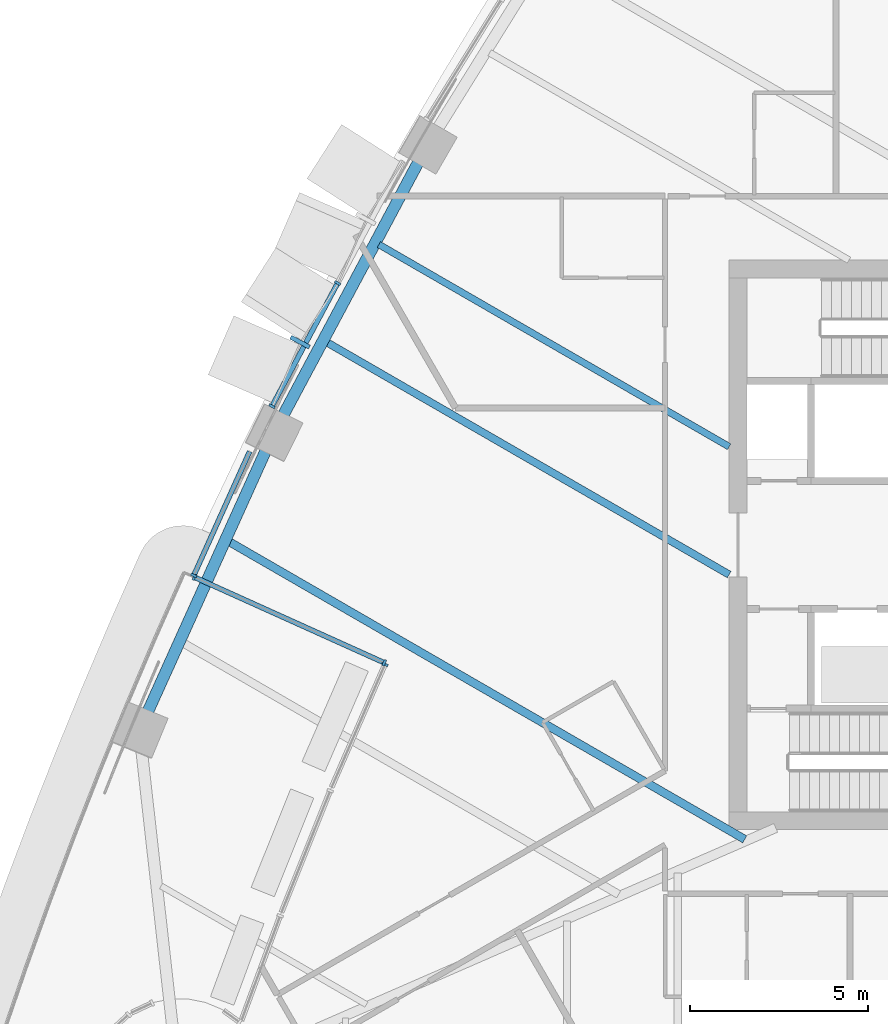
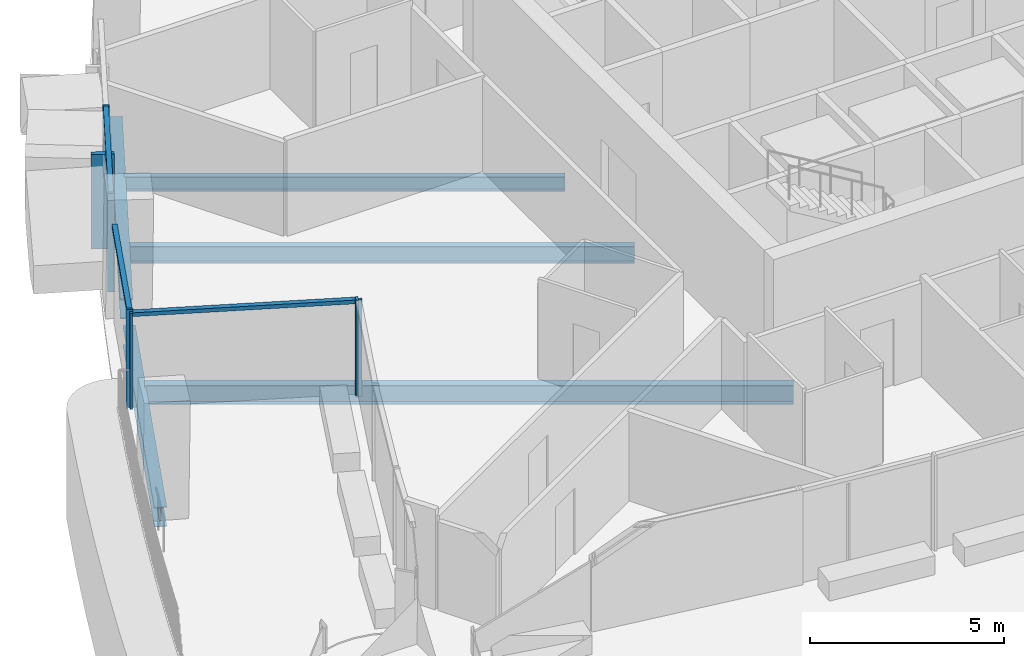
# One storey, part 3 of 22: 10 members, 5 beams, 4 elements without a shape of their own.
"""IFC4 building model written with IfcOpenShell, lengths in metres."""

from ifc_helpers import new_model, si_unit, direction, frame, origin, origin_2d, place, context, subcontext, project, spatial, rectangle, i_section, extrude, material, layer, layer_set, material_profile, profile_set, type_object, element, aggregate, save


model = new_model("IFC4")

# Units and contexts
model_context = context("Model", 3, precision=1e-05, world=origin(), true_north=direction((0.0, 1.0)))
body_context = subcontext(model_context, "Body", "Model", "MODEL_VIEW")
ifc_project = project(units=[si_unit("LENGTHUNIT", "METRE"), si_unit("AREAUNIT", "SQUARE_METRE"), si_unit("VOLUMEUNIT", "CUBIC_METRE"), si_unit("PLANEANGLEUNIT", "RADIAN"), si_unit("MASSUNIT", "GRAM", prefix="KILO")], contexts=[model_context])

# Site, building, storey
site_placement = place(None, origin())
site = spatial("IfcSite", under=ifc_project, at=site_placement, CompositionType="ELEMENT")
building_placement = place(site_placement, origin())
building = spatial("IfcBuilding", under=site, at=building_placement, Name="Sierra Prisma Convention Tower", CompositionType="ELEMENT")
storey_placement = place(building_placement, frame((0.0, 0.0, 73.89990234375)))
storey = spatial("IfcBuildingStorey", under=building, at=storey_placement, Name="L14", CompositionType="ELEMENT", Elevation=73.89990234375)

# Curtain wall, members
ifc_material_1 = material(Name="Aluminium and glass curtain wall", Category="aluminium")
ifc_layer_1 = layer(ifc_material_1, 0.179931640625)
ifc_layer_set_1 = layer_set([ifc_layer_1], Name="CW-2 Faceted crystal curtain wall")
curtain_wall_type_1 = type_object("IfcCurtainWallType", Name="CW-2 Faceted crystal curtain wall", PredefinedType="NOTDEFINED", material=ifc_layer_set_1)
curtain_wall_1_placement = place(storey_placement, origin())
curtain_wall_1 = element("IfcCurtainWall", 1, at=curtain_wall_1_placement, inside=storey, type_object=curtain_wall_type_1, Name="CW-2 NW4 L14", PredefinedType="NOTDEFINED")
ifc_material_2 = material(Name="Aluminium 6063-T6 bronze anodised", Category="aluminium")
ifc_material_profile_1 = material_profile(ifc_material_2, rectangle(XDim=0.1201171875, YDim=0.60009765625, at=origin_2d()), Name="ALU RIDGE BLADE 120x600")
ifc_profile_set_1 = profile_set([ifc_material_profile_1], Name="Aluminium 6063-T6 bronze anodised")
member_type_1 = type_object("IfcMemberType", Name="CW hip bronze", PredefinedType="MULLION", material=ifc_profile_set_1)
member_1_placement = place(storey_placement, frame((-23.056640625, 5.697021484375, 0.0), z_axis=(0.0, 0.0, 1.0), x_axis=(-0.470524141145, -0.882387121733, 0.0)))
member_1 = element("IfcMember", 2, at=member_1_placement, type_object=member_type_1, Name="CW-2 ridge NW4.2", PredefinedType="MULLION", context=body_context, shape_type="SweptSolid", body=[
    extrude(rectangle(XDim=0.1201171875, YDim=0.60009765625, at=origin_2d()), origin(), (0.0, 0.0, 1.0), 2.97998046875),
])
ifc_material_3 = material(Name="Aluminium 6063-T6 bronze anodised", Category="aluminium")
ifc_material_profile_2 = material_profile(ifc_material_3, rectangle(XDim=0.179931640625, YDim=0.070068359375, at=origin_2d()), Name="ALU MULLION 70x180")
ifc_profile_set_2 = profile_set([ifc_material_profile_2], Name="Aluminium 6063-T6 bronze anodised")
member_type_2 = type_object("IfcMemberType", Name="CW mullion bronze", PredefinedType="MULLION", material=ifc_profile_set_2)
member_2_placement = place(storey_placement, frame((-21.999755859375, 7.3564453125, 0.0), z_axis=(0.0, 0.0, 1.0), x_axis=(0.882387121733, -0.470524141145, 0.0)))
member_2 = element("IfcMember", 3, at=member_2_placement, type_object=member_type_2, Name="CW-1 mullion NW4.2", PredefinedType="MULLION", context=body_context, shape_type="SweptSolid", body=[
    extrude(rectangle(XDim=0.179931640625, YDim=0.070068359375, at=origin_2d()), origin(), (0.0, 0.0, 1.0), 3.10009765625),
])
member_3_placement = place(storey_placement, frame((-23.845703125, 3.894775390625, 0.0), z_axis=(0.0, 0.0, 1.0), x_axis=(0.882387121733, -0.470524141145, 0.0)))
member_3 = element("IfcMember", 4, at=member_3_placement, type_object=member_type_2, Name="CW-1 mullion NW4.3", PredefinedType="MULLION", context=body_context, shape_type="SweptSolid", body=[
    extrude(rectangle(XDim=0.179931640625, YDim=0.070068359375, at=origin_2d()), origin(), (0.0, 0.0, 1.0), 3.10009765625),
])

# Curtain wall, member
ifc_material_4 = material(Name="Aluminium and glass curtain wall", Category="aluminium")
ifc_layer_2 = layer(ifc_material_4, 0.179931640625)
ifc_layer_set_2 = layer_set([ifc_layer_2], Name="CW-1 Plain shaft curtain wall")
curtain_wall_type_2 = type_object("IfcCurtainWallType", Name="CW-1 Plain shaft curtain wall", PredefinedType="NOTDEFINED", material=ifc_layer_set_2)
curtain_wall_2_placement = place(storey_placement, origin())
curtain_wall_2 = element("IfcCurtainWall", 5, at=curtain_wall_2_placement, inside=storey, type_object=curtain_wall_type_2, Name="CW-1 NW5 L14", PredefinedType="NOTDEFINED")
member_4_placement = place(storey_placement, frame((-26.043701171875, -0.86083984375, 0.0), z_axis=(0.0, 0.0, 1.0), x_axis=(0.911651231975, -0.410964756687, 0.0)))
member_4 = element("IfcMember", 6, at=member_4_placement, type_object=member_type_2, Name="CW-1 mullion NW5.2", PredefinedType="MULLION", context=body_context, shape_type="SweptSolid", body=[
    extrude(rectangle(XDim=0.179931640625, YDim=0.070068359375, at=origin_2d()), origin(), (0.0, 0.0, 1.0), 3.10009765625),
])

ifc_material_5 = material(Name="Aluminium and glass curtain wall", Category="aluminium")
ifc_layer_3 = layer(ifc_material_5, 0.179931640625)
ifc_layer_set_3 = layer_set([ifc_layer_3], Name="CW-6 Terrace recess curtain wall")
curtain_wall_type_3 = type_object("IfcCurtainWallType", Name="CW-6 Terrace recess curtain wall", PredefinedType="NOTDEFINED", material=ifc_layer_set_3)
curtain_wall_3_placement = place(storey_placement, origin())
curtain_wall_3 = element("IfcCurtainWall", 7, at=curtain_wall_3_placement, inside=storey, type_object=curtain_wall_type_3, Name="CW-6 R1 L14", PredefinedType="NOTDEFINED")
member_5_placement = place(storey_placement, frame((-20.67138671875, -3.359619140625, 0.0), z_axis=(0.0, 0.0, 1.0), x_axis=(0.917219709571, -0.398381731979, 0.0)))
member_5 = element("IfcMember", 8, at=member_5_placement, type_object=member_type_2, Name="CW-6 mullion R1.1", PredefinedType="MULLION", context=body_context, shape_type="SweptSolid", body=[
    extrude(rectangle(XDim=0.179931640625, YDim=0.070068359375, at=origin_2d()), origin(), (0.0, 0.0, 1.0), 3.0400390625),
])
aggregate(curtain_wall_3, [member_5])

# Curtain wall, members
curtain_wall_4_placement = place(storey_placement, origin())
curtain_wall_4 = element("IfcCurtainWall", 9, at=curtain_wall_4_placement, inside=storey, type_object=curtain_wall_type_3, Name="CW-6 RT1 L14", PredefinedType="NOTDEFINED")
member_6_placement = place(storey_placement, frame((-26.0263671875, -0.9072265625, 0.0), z_axis=(0.0, 0.0, 1.0), x_axis=(0.410964756687, 0.911651231975, 0.0)))
member_6 = element("IfcMember", 10, at=member_6_placement, type_object=member_type_2, Name="CW-6 mullion RT1.1", PredefinedType="MULLION", context=body_context, shape_type="SweptSolid", body=[
    extrude(rectangle(XDim=0.179931640625, YDim=0.070068359375, at=origin_2d()), origin(), (0.0, 0.0, 1.0), 3.0400390625),
])
member_7_placement = place(storey_placement, frame((-20.689208984375, -3.31298828125, 0.0), z_axis=(0.0, 0.0, 1.0), x_axis=(0.410964756687, 0.911651231975, 0.0)))
member_7 = element("IfcMember", 11, at=member_7_placement, type_object=member_type_2, Name="CW-6 mullion RT1.2", PredefinedType="MULLION", context=body_context, shape_type="SweptSolid", body=[
    extrude(rectangle(XDim=0.179931640625, YDim=0.070068359375, at=origin_2d()), origin(), (0.0, 0.0, 1.0), 3.0400390625),
])

# Member
ifc_material_6 = material(Name="Aluminium 6063-T6 bronze anodised", Category="aluminium")
ifc_material_profile_3 = material_profile(ifc_material_6, rectangle(XDim=0.139892578125, YDim=0.1201171875, at=origin_2d()), Name="ALU TRANSOM 120x140")
ifc_profile_set_3 = profile_set([ifc_material_profile_3], Name="Aluminium 6063-T6 bronze anodised")
member_type_3 = type_object("IfcMemberType", Name="CW transom bronze", PredefinedType="USERDEFINED", material=ifc_profile_set_3)
member_8_placement = place(storey_placement, frame((-22.01611328125, 7.32568359375, 3.0400390625), z_axis=(-0.470578369444, -0.882358202892, 0.0), x_axis=(0.882358202892, -0.470578369444, 0.0)))
member_8 = element("IfcMember", 12, at=member_8_placement, type_object=member_type_3, Name="CW-1 transom NW4.2", ObjectType="TRANSOM", PredefinedType="USERDEFINED", context=body_context, shape_type="SweptSolid", body=[
    extrude(rectangle(XDim=0.139892578125, YDim=0.1201171875, at=origin_2d()), origin(), (0.0, 0.0, 1.0), 3.853271484375),
])

aggregate(curtain_wall_1, [member_2, member_3, member_8, member_1])

member_9_placement = place(storey_placement, frame((-24.471923828125, 2.6259765625, 3.0400390625), z_axis=(-0.410932454292, -0.911665792936, 0.0), x_axis=(0.911665792936, -0.410932454292, 0.0)))
member_9 = element("IfcMember", 13, at=member_9_placement, type_object=member_type_3, Name="CW-1 transom NW5.1", ObjectType="TRANSOM", PredefinedType="USERDEFINED", context=body_context, shape_type="SweptSolid", body=[
    extrude(rectangle(XDim=0.139892578125, YDim=0.1201171875, at=origin_2d()), origin(), (0.0, 0.0, 1.0), 3.789794921875),
])

aggregate(curtain_wall_2, [member_4, member_9])

member_10_placement = place(storey_placement, frame((-25.994384765625, -0.921630859375, 2.97998046875), z_axis=(0.911661489981, -0.410942000391, 0.0), x_axis=(0.410942000391, 0.911661489981, 0.0)))
member_10 = element("IfcMember", 14, at=member_10_placement, type_object=member_type_3, Name="CW-6 transom RT1.1", ObjectType="TRANSOM", PredefinedType="USERDEFINED", context=body_context, shape_type="SweptSolid", body=[
    extrude(rectangle(XDim=0.139892578125, YDim=0.1201171875, at=origin_2d()), origin(), (0.0, 0.0, 1.0), 5.7841796875),
])

aggregate(curtain_wall_4, [member_6, member_7, member_10])

# Beams
ifc_material_7 = material(Name="Steel ASTM A992 Gr 50", Category="steel")
ifc_material_profile_4 = material_profile(ifc_material_7, i_section(OverallWidth=0.18994140625, OverallDepth=0.45703125, WebThickness=0.009033203125, FlangeThickness=0.014404296875, at=origin_2d()), Name="W460x74")
ifc_profile_set_4 = profile_set([ifc_material_profile_4], Name="Steel ASTM A992 Gr 50")
beam_type_1 = type_object("IfcBeamType", Name="Floor joist W460x74", PredefinedType="JOIST", material=ifc_profile_set_4)
beam_1_placement = place(storey_placement, frame((-20.841064453125, 8.439453125, -0.37841796875), z_axis=(0.866029236674, -0.499993361182, 0.0), x_axis=(0.499993361182, 0.866029236674, 0.0)))
element("IfcBeam", 15, at=beam_1_placement, inside=storey, type_object=beam_type_1, Name="Floor joist L14 NW10", PredefinedType="JOIST", context=body_context, shape_type="SweptSolid", body=[
    extrude(i_section(OverallWidth=0.18994140625, OverallDepth=0.45703125, WebThickness=0.009033203125, FlangeThickness=0.014404296875, at=origin_2d()), origin(), (0.0, 0.0, 1.0), 11.363525390625),
])
ifc_material_8 = material(Name="Steel ASTM A992 Gr 50", Category="steel")
ifc_material_profile_5 = material_profile(ifc_material_8, i_section(OverallWidth=0.208984375, OverallDepth=0.532958984375, WebThickness=0.01025390625, FlangeThickness=0.015625, at=origin_2d()), Name="W530x92")
ifc_profile_set_5 = profile_set([ifc_material_profile_5], Name="Steel ASTM A992 Gr 50")
beam_type_2 = type_object("IfcBeamType", Name="Floor joist W530x92", PredefinedType="JOIST", material=ifc_profile_set_5)
beam_2_placement = place(storey_placement, frame((-22.307861328125, 5.693115234375, -0.41650390625), z_axis=(0.866026475891, -0.499998143053, 0.0), x_axis=(0.499998143053, 0.866026475891, 0.0)))
element("IfcBeam", 16, at=beam_2_placement, inside=storey, type_object=beam_type_2, Name="Floor joist L14 NW11", PredefinedType="JOIST", context=body_context, shape_type="SweptSolid", body=[
    extrude(i_section(OverallWidth=0.208984375, OverallDepth=0.532958984375, WebThickness=0.01025390625, FlangeThickness=0.015625, at=origin_2d()), origin(), (0.0, 0.0, 1.0), 13.05712890625),
])
ifc_material_9 = material(Name="Steel ASTM A992 Gr 50", Category="steel")
ifc_material_profile_6 = material_profile(ifc_material_9, i_section(OverallWidth=0.22802734375, OverallDepth=0.60302734375, WebThickness=0.010498046875, FlangeThickness=0.014892578125, at=origin_2d()), Name="W610x101")
ifc_profile_set_6 = profile_set([ifc_material_profile_6], Name="Steel ASTM A992 Gr 50")
beam_type_3 = type_object("IfcBeamType", Name="Floor joist W610x101", PredefinedType="JOIST", material=ifc_profile_set_6)
beam_3_placement = place(storey_placement, frame((-25.0517578125, 0.091064453125, -0.451416015625), z_axis=(0.86603104707, -0.499990225416, 0.0), x_axis=(0.499990225416, 0.86603104707, 0.0)))
element("IfcBeam", 17, at=beam_3_placement, inside=storey, type_object=beam_type_3, Name="Floor joist L14 NW13", PredefinedType="JOIST", context=body_context, shape_type="SweptSolid", body=[
    extrude(i_section(OverallWidth=0.22802734375, OverallDepth=0.60302734375, WebThickness=0.010498046875, FlangeThickness=0.014892578125, at=origin_2d()), origin(), (0.0, 0.0, 1.0), 16.731689453125),
])
ifc_material_10 = material(Name="Steel ASTM A992 Gr 50", Category="steel")
ifc_material_profile_7 = material_profile(ifc_material_10, i_section(OverallWidth=0.324951171875, OverallDepth=0.615966796875, WebThickness=0.013916015625, FlangeThickness=0.021484375, at=origin_2d()), Name="W610x174")
ifc_profile_set_7 = profile_set([ifc_material_profile_7], Name="Steel ASTM A992 Gr 50")
beam_type_4 = type_object("IfcBeamType", Name="Spandrel beam W610x174", PredefinedType="BEAM", material=ifc_profile_set_7)
for number, where, z_axis, x_axis, name in (
    (18, (-19.6982421875, 10.818359375, -0.4580078125), (-0.471075565168, -0.882092859001, 0.0), (0.882092859001, -0.471075565168, 0.0), "Spandrel L14-16"),
    (19, (-23.992431640625, 2.710205078125, -0.60791015625), (-0.411670323983, -0.9113328395, 0.0), (0.9113328395, -0.411670323983, 0.0), "Spandrel L14-17"),
):
    element("IfcBeam", number, at=place(storey_placement, frame(where, z_axis=z_axis, x_axis=x_axis)), inside=storey, type_object=beam_type_4, Name=name, PredefinedType="BEAM", context=body_context, shape_type="SweptSolid", body=[
        extrude(i_section(OverallWidth=0.324951171875, OverallDepth=0.615966796875, WebThickness=0.013916015625, FlangeThickness=0.021484375, at=origin_2d()), origin(), (0.0, 0.0, 1.0), 8.215576171875),
    ])

save(model, "model.ifc")
